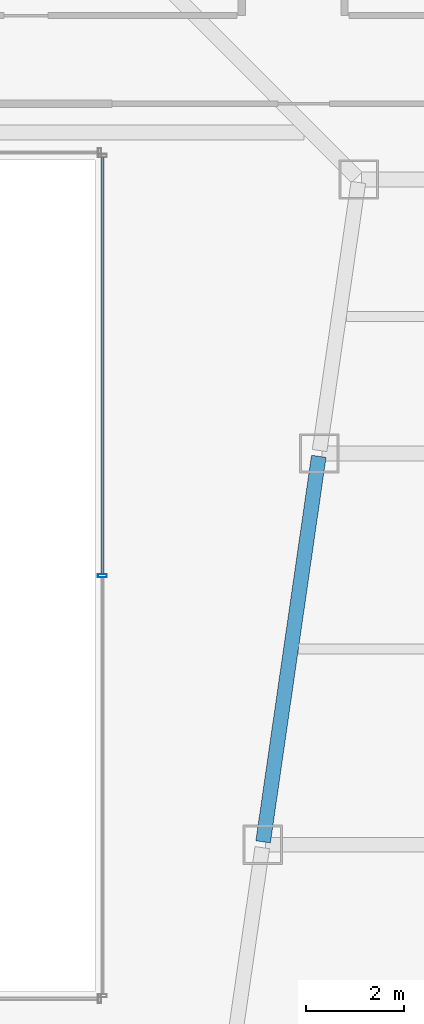
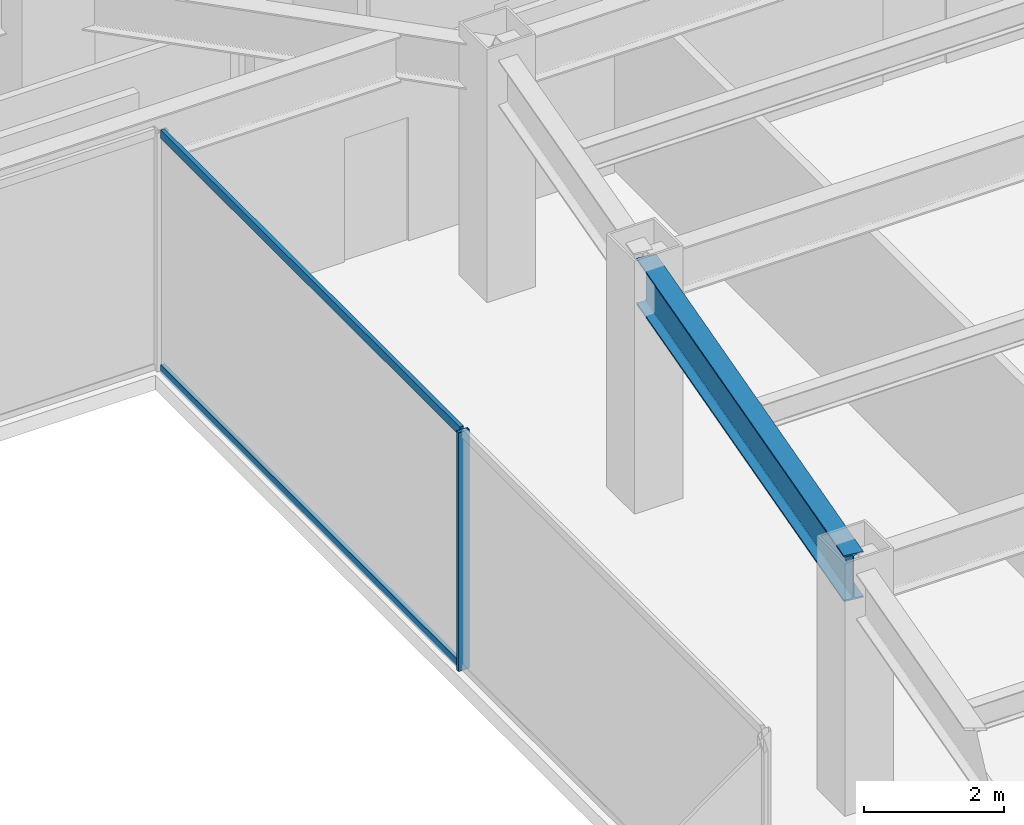
# One storey, part 20 of 47: 3 members, 1 beam, 1 element without a shape of its own.
"""IFC4 building model written with IfcOpenShell, lengths in metres."""

from ifc_helpers import new_model, si_unit, direction, frame, origin, origin_2d, place, context, subcontext, project, spatial, hollow_rectangle, i_section, extrude, material, material_profile, profile_set, type_object, element, aggregate, save


model = new_model("IFC4")

# Units and contexts
model_context = context("Model", 3, precision=1e-05, world=origin(), true_north=direction((0.0, 1.0)))
body_context = subcontext(model_context, "Body", "Model", "MODEL_VIEW")
ifc_project = project(units=[si_unit("LENGTHUNIT", "METRE"), si_unit("AREAUNIT", "SQUARE_METRE"), si_unit("VOLUMEUNIT", "CUBIC_METRE"), si_unit("PLANEANGLEUNIT", "RADIAN"), si_unit("MASSUNIT", "GRAM", prefix="KILO")], contexts=[model_context])

# Site, building, storey
site_placement = place(None, origin())
site = spatial("IfcSite", under=ifc_project, at=site_placement, CompositionType="ELEMENT")
building_placement = place(site_placement, origin())
building = spatial("IfcBuilding", under=site, at=building_placement, Name="Saevonmaru Cultural Tower", CompositionType="ELEMENT")
storey_placement = place(building_placement, frame((0.0, 0.0, 51.60009765625)))
storey = spatial("IfcBuildingStorey", under=building, at=storey_placement, Name="L10", CompositionType="ELEMENT", Elevation=51.60009765625)

# Beam
ifc_material_1 = material(Name="Steel SM420", Category="steel")
ifc_material_profile_1 = material_profile(ifc_material_1, i_section(OverallWidth=0.300048828125, OverallDepth=0.800048828125, WebThickness=0.013916015625, FlangeThickness=0.02587890625, FilletRadius=0.028076171875, at=origin_2d()), Name="H-800x300x14x26")
ifc_profile_set_1 = profile_set([ifc_material_profile_1], Name="Steel SM420")
beam_type = type_object("IfcBeamType", Name="BM-G-H800", PredefinedType="BEAM", material=ifc_profile_set_1)
beam_placement = place(storey_placement, frame((39.236572265625, 24.059326171875, 3.75), z_axis=(0.142902032203, 0.989736838353, 0.0), x_axis=(-0.989736838353, 0.142902032203, 0.0)))
element("IfcBeam", 1, at=beam_placement, inside=storey, type_object=beam_type, Name="L10 East Atrium Girder 4", PredefinedType="BEAM", context=body_context, shape_type="SweptSolid", body=[
    extrude(i_section(OverallWidth=0.300048828125, OverallDepth=0.800048828125, WebThickness=0.013916015625, FlangeThickness=0.02587890625, FilletRadius=0.028076171875, at=origin_2d()), origin(), (0.0, 0.0, 1.0), 7.963134765625),
])

# Curtain wall, members
ifc_material_2 = material(Name="Satin Bronze Anodised Aluminium", Category="aluminium")
curtain_wall_type = type_object("IfcCurtainWallType", Name="CW-ATR-GLZ", PredefinedType="NOTDEFINED", material=ifc_material_2)
curtain_wall_placement = place(storey_placement, origin())
curtain_wall = element("IfcCurtainWall", 2, at=curtain_wall_placement, inside=storey, type_object=curtain_wall_type, Name="L10 Vertical Atrium Glazed Smoke Screen 2", PredefinedType="NOTDEFINED")
ifc_material_profile_2 = material_profile(ifc_material_2, hollow_rectangle(XDim=0.06494140625, YDim=0.179931640625, WallThickness=0.00390625, at=origin_2d()), Name="ALU-MULL-180x65x4")
ifc_profile_set_2 = profile_set([ifc_material_profile_2], Name="Satin Bronze Anodised Aluminium")
member_type_1 = type_object("IfcMemberType", Name="ML-CW-INT-180x65", PredefinedType="MULLION", material=ifc_profile_set_2)
member_1_placement = place(storey_placement, frame((35.949951171875, 29.5, 0.0), z_axis=(0.0, 0.0, 1.0), x_axis=(0.0, 1.0, 0.0)))
member_1 = element("IfcMember", 3, at=member_1_placement, type_object=member_type_1, Name="CW-ATR-L10-2 mullion 2", PredefinedType="MULLION", context=body_context, shape_type="SweptSolid", body=[
    extrude(hollow_rectangle(XDim=0.06494140625, YDim=0.179931640625, WallThickness=0.00390625, at=origin_2d()), origin(), (0.0, 0.0, 1.0), 4.14990234375),
])
ifc_material_profile_3 = material_profile(ifc_material_2, hollow_rectangle(XDim=0.06494140625, YDim=0.14990234375, WallThickness=0.00390625, at=origin_2d()), Name="ALU-TRAN-150x65x4")
ifc_profile_set_3 = profile_set([ifc_material_profile_3], Name="Satin Bronze Anodised Aluminium")
member_type_2 = type_object("IfcMemberType", Name="TR-CW-INT-150x65", PredefinedType="USERDEFINED", material=ifc_profile_set_3)
member_2_placement = place(storey_placement, frame((35.949951171875, 29.532470703125, 0.032470703125), z_axis=(0.0, 1.0, 0.0), x_axis=(-1.0, 0.0, 0.0)))
member_2 = element("IfcMember", 4, at=member_2_placement, type_object=member_type_2, Name="CW-ATR-L10-2 transom 2.1", ObjectType="TRANSOM", PredefinedType="USERDEFINED", context=body_context, shape_type="SweptSolid", body=[
    extrude(hollow_rectangle(XDim=0.06494140625, YDim=0.14990234375, WallThickness=0.00390625, at=origin_2d()), origin(), (0.0, 0.0, 1.0), 8.525146484375),
])
member_3_placement = place(storey_placement, frame((35.949951171875, 29.532470703125, 4.117431640625), z_axis=(0.0, 1.0, 0.0), x_axis=(-1.0, 0.0, 0.0)))
member_3 = element("IfcMember", 5, at=member_3_placement, type_object=member_type_2, Name="CW-ATR-L10-2 transom 2.2", ObjectType="TRANSOM", PredefinedType="USERDEFINED", context=body_context, shape_type="SweptSolid", body=[
    extrude(hollow_rectangle(XDim=0.06494140625, YDim=0.14990234375, WallThickness=0.00390625, at=origin_2d()), origin(), (0.0, 0.0, 1.0), 8.525146484375),
])
aggregate(curtain_wall, [member_1, member_2, member_3])

save(model, "model.ifc")
